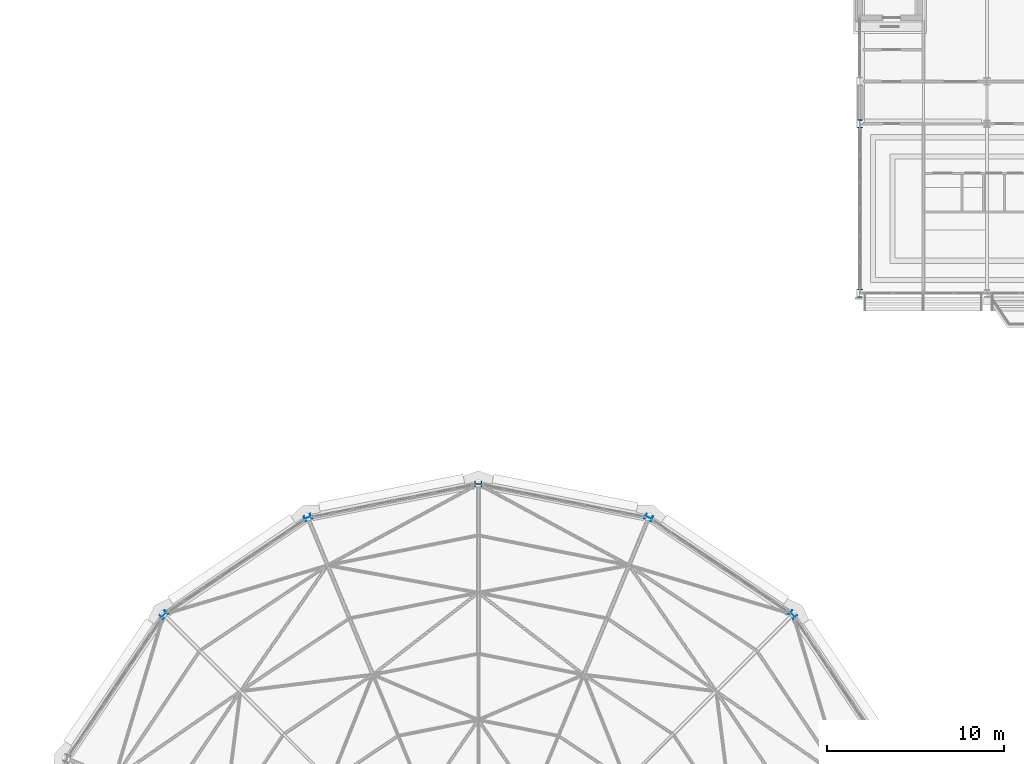
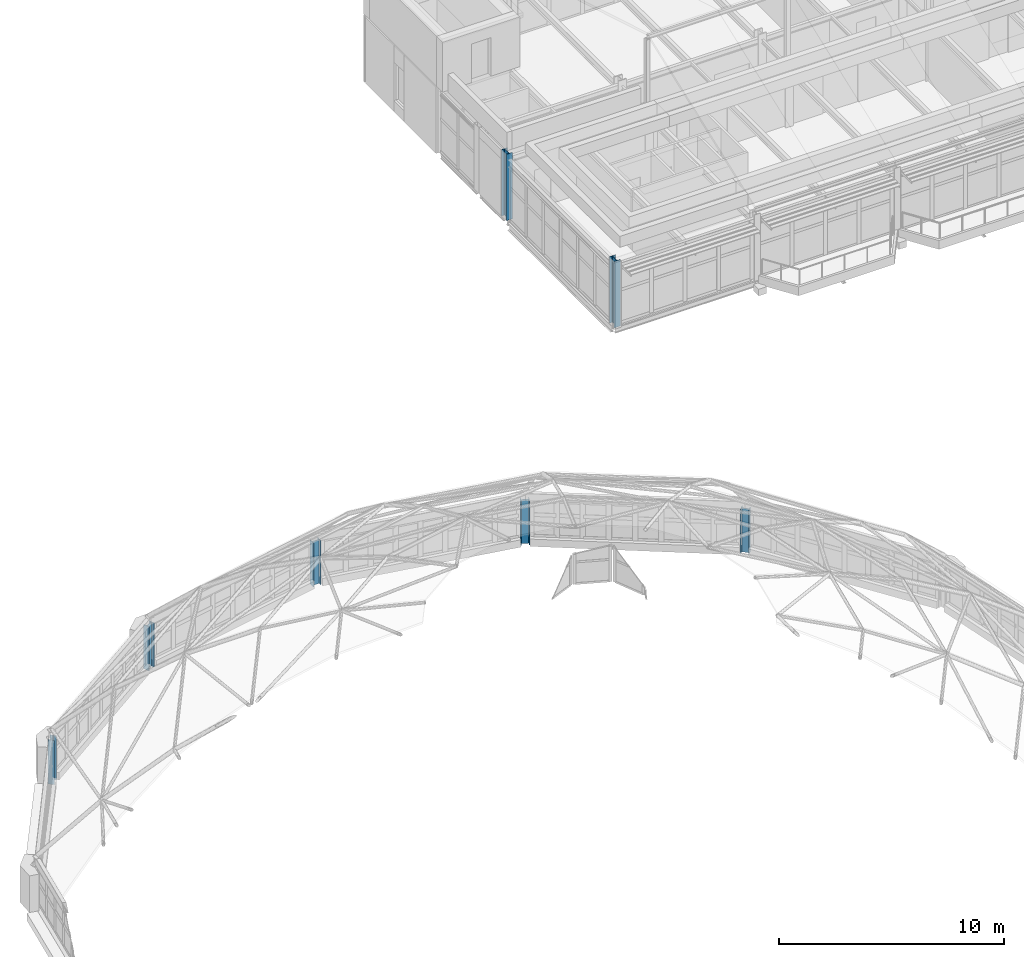
# One storey, part 5 of 68: 7 columns.
"""IFC4 building model written with IfcOpenShell, lengths in metres."""

from ifc_helpers import new_model, si_unit, direction, frame, origin, origin_2d, place, context, subcontext, project, spatial, i_section, extrude, material, material_profile, profile_set, type_object, element, save


model = new_model("IFC4")

# Units and contexts
model_context = context("Model", 3, precision=1e-05, world=origin(), true_north=direction((0.0, 1.0)))
body_context = subcontext(model_context, "Body", "Model", "MODEL_VIEW")
ifc_project = project(units=[si_unit("LENGTHUNIT", "METRE"), si_unit("AREAUNIT", "SQUARE_METRE"), si_unit("VOLUMEUNIT", "CUBIC_METRE"), si_unit("PLANEANGLEUNIT", "RADIAN"), si_unit("MASSUNIT", "GRAM", prefix="KILO")], contexts=[model_context])

# Site, building, storey
site_placement = place(None, origin())
site = spatial("IfcSite", under=ifc_project, at=site_placement, CompositionType="ELEMENT")
building_placement = place(site_placement, origin())
building = spatial("IfcBuilding", under=site, at=building_placement, Name="Kupolbacken Congress Centre", CompositionType="ELEMENT")
storey_placement = place(building_placement, frame((0.0, 0.0, 25.199951171875)))
storey = spatial("IfcBuildingStorey", under=building, at=storey_placement, Name="L07", CompositionType="ELEMENT", Elevation=25.199951171875)

# Columns
ifc_material_1 = material(Name="Steel S355", Category="steel")
ifc_material_profile_1 = material_profile(ifc_material_1, i_section(OverallWidth=0.300048828125, OverallDepth=0.449951171875, WebThickness=0.013916015625, FlangeThickness=0.02587890625, FilletRadius=0.027099609375, at=origin_2d()), Name="HEB 450")
ifc_profile_set_1 = profile_set([ifc_material_profile_1], Name="Steel S355")
column_type_1 = type_object("IfcColumnType", Name="C03 column HEB 450", PredefinedType="COLUMN", material=ifc_profile_set_1)
for number, where, z_axis, x_axis, name in (
    (1, (64.800048828125, 122.39990234375, 0.0), (0.0, 0.0, 1.0), (1.0, 0.0, 0.0), "S/col/C-T-10T/L07"),
    (2, (64.800048828125, 132.0, 0.0), (0.0, 0.0, 1.0), (1.0, 0.0, 0.0), "S/col/C-T-10U+2400/L07"),
):
    element("IfcColumn", number, at=place(storey_placement, frame(where, z_axis=z_axis, x_axis=x_axis)), inside=storey, type_object=column_type_1, Name=name, PredefinedType="COLUMN", context=body_context, shape_type="SweptSolid", body=[
        extrude(i_section(OverallWidth=0.300048828125, OverallDepth=0.449951171875, WebThickness=0.013916015625, FlangeThickness=0.02587890625, FilletRadius=0.027099609375, at=origin_2d()), origin(), (0.0, 0.0, 1.0), 3.60009765625),
    ])
ifc_material_2 = material(Name="Steel S355", Category="steel")
ifc_material_profile_2 = material_profile(ifc_material_2, i_section(OverallWidth=0.300048828125, OverallDepth=0.39990234375, WebThickness=0.013427734375, FlangeThickness=0.02392578125, FilletRadius=0.027099609375, at=origin_2d()), Name="HEB 400")
ifc_profile_set_2 = profile_set([ifc_material_profile_2], Name="Steel S355")
column_type_2 = type_object("IfcColumnType", Name="C08 column HEB 400", PredefinedType="COLUMN", material=ifc_profile_set_2)
for number, where, z_axis, x_axis, name in (
    (3, (61.0, 104.199951171875, 0.0), (0.0, 0.0, 1.0), (0.707106781187, 0.707106781187, 0.0), "S/col/C-D03/L07"),
    (4, (52.85009765625, 109.699951171875, 0.0), (0.0, 0.0, 1.0), (0.382643629864, 0.923896018243, 0.0), "S/col/C-D04/L07"),
    (5, (43.199951171875, 111.60009765625, 0.0), (0.0, 0.0, 1.0), (0.0, 1.0, 0.0), "S/col/C-D05/L07"),
    (6, (33.550048828125, 109.699951171875, 0.0), (0.0, 0.0, 1.0), (-0.382643629864, 0.923896018243, 0.0), "S/col/C-D06/L07"),
    (7, (25.39990234375, 104.199951171875, 0.0), (0.0, 0.0, 1.0), (-0.707106781187, 0.707106781187, 0.0), "S/col/C-D07/L07"),
):
    element("IfcColumn", number, at=place(storey_placement, frame(where, z_axis=z_axis, x_axis=x_axis)), inside=storey, type_object=column_type_2, Name=name, PredefinedType="COLUMN", context=body_context, shape_type="SweptSolid", body=[
        extrude(i_section(OverallWidth=0.300048828125, OverallDepth=0.39990234375, WebThickness=0.013427734375, FlangeThickness=0.02392578125, FilletRadius=0.027099609375, at=origin_2d()), origin(), (0.0, 0.0, 1.0), 2.400146484375),
    ])

save(model, "model.ifc")
